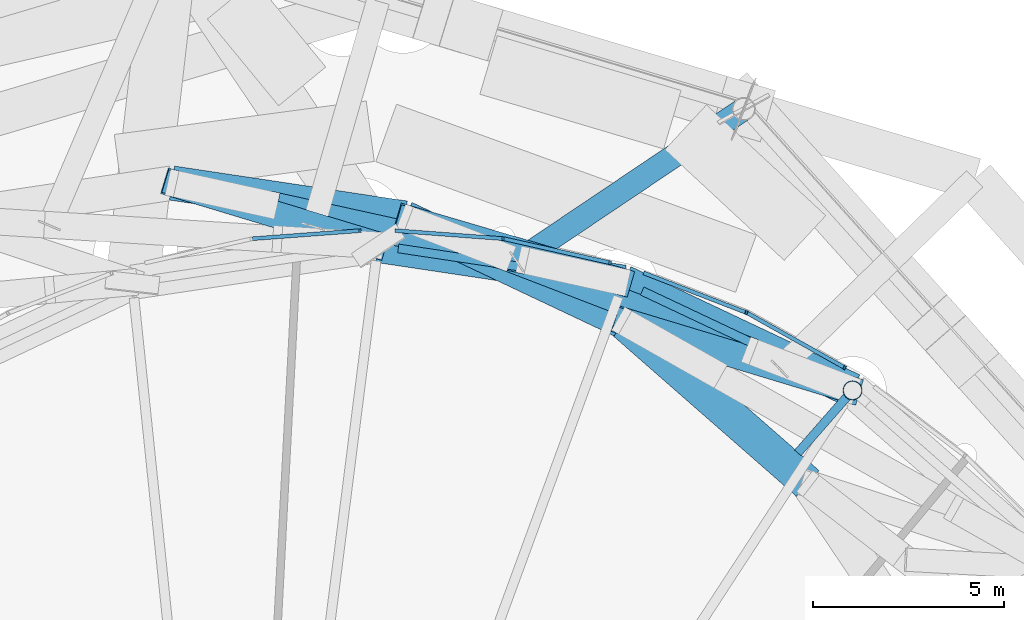
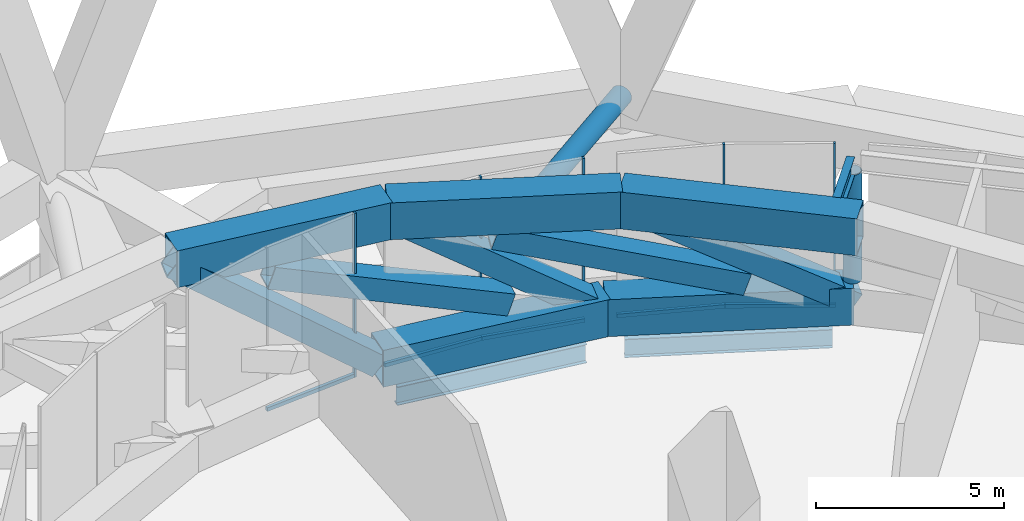
# One storey, part 42 of 60: 13 beams, 12 members, 5 elements without a shape of their own.
"""IFC4 building model written with IfcOpenShell, lengths in metres."""

from ifc_helpers import new_model, si_unit, direction, frame, origin, origin_2d, place, context, subcontext, project, spatial, rectangle, hollow_rectangle, hollow_circle, i_section, extrude, material, layer, layer_set, material_profile, profile_set, type_object, element, aggregate, save


model = new_model("IFC4")

# Units and contexts
model_context = context("Model", 3, precision=1e-05, world=origin(), true_north=direction((0.0, 1.0)))
body_context = subcontext(model_context, "Body", "Model", "MODEL_VIEW")
ifc_project = project(units=[si_unit("LENGTHUNIT", "METRE"), si_unit("AREAUNIT", "SQUARE_METRE"), si_unit("VOLUMEUNIT", "CUBIC_METRE"), si_unit("PLANEANGLEUNIT", "RADIAN"), si_unit("MASSUNIT", "GRAM", prefix="KILO")], contexts=[model_context])

# Site, building, storey
site_placement = place(None, origin())
site = spatial("IfcSite", under=ifc_project, at=site_placement, CompositionType="ELEMENT")
building_placement = place(site_placement, origin())
building = spatial("IfcBuilding", under=site, at=building_placement, Name="Nagisa Residences", CompositionType="ELEMENT")
storey_placement = place(building_placement, frame((0.0, 0.0, 206.60009765625)))
storey = spatial("IfcBuildingStorey", under=building, at=storey_placement, Name="L52", CompositionType="ELEMENT", Elevation=206.60009765625)

# Beams
ifc_material_1 = material(Name="Steel ASTM A572 Gr 50", Category="steel")
ifc_material_profile_1 = material_profile(ifc_material_1, hollow_rectangle(XDim=0.89990234375, YDim=1.199951171875, WallThickness=0.044921875, at=origin_2d()), Name="BX 900x1200x45")
ifc_profile_set_1 = profile_set([ifc_material_profile_1], Name="Steel ASTM A572 Gr 50")
beam_type_1 = type_object("IfcBeamType", Name="Belt chord 4 BX 900x1200x45", PredefinedType="BEAM", material=ifc_profile_set_1)
beam_1_placement = place(storey_placement, frame((14.866455078125, 22.1318359375, 4.739990234375), z_axis=(-0.752422814139, 0.658680429923, 0.0), x_axis=(-0.658680429923, -0.752422814139, 0.0)))
element("IfcBeam", 1, at=beam_1_placement, inside=storey, type_object=beam_type_1, Name="beam:L52:bt4t04", PredefinedType="BEAM", context=body_context, shape_type="SweptSolid", body=[
    extrude(hollow_rectangle(XDim=0.89990234375, YDim=1.199951171875, WallThickness=0.044921875, at=origin_2d()), origin(), (0.0, 0.0, 1.0), 6.487548828125),
])
beam_2_placement = place(storey_placement, frame((16.03759765625, 24.573486328125, 0.599853515625), z_axis=(-0.9041547037, 0.427205186973, 0.0), x_axis=(-0.427205186973, -0.9041547037, 0.0)))
element("IfcBeam", 2, at=beam_2_placement, inside=storey, type_object=beam_type_1, Name="beam:L52:bt4b05", PredefinedType="BEAM", context=body_context, shape_type="SweptSolid", body=[
    extrude(hollow_rectangle(XDim=0.89990234375, YDim=1.199951171875, WallThickness=0.044921875, at=origin_2d()), origin(), (0.0, 0.0, 1.0), 6.635498046875),
])
beam_3_placement = place(storey_placement, frame((9.985107421875, 26.405029296875, 4.739990234375), z_axis=(-0.904124087286, 0.427269978806, 0.0), x_axis=(-0.427269978806, -0.904124087286, 0.0)))
element("IfcBeam", 3, at=beam_3_placement, inside=storey, type_object=beam_type_1, Name="beam:L52:bt4t05", PredefinedType="BEAM", context=body_context, shape_type="SweptSolid", body=[
    extrude(hollow_rectangle(XDim=0.89990234375, YDim=1.199951171875, WallThickness=0.044921875, at=origin_2d()), origin(), (0.0, 0.0, 1.0), 6.28759765625),
])
beam_4_placement = place(storey_placement, frame((10.0380859375, 27.408203125, 0.599853515625), z_axis=(-0.988911582679, 0.148505493645, 0.0), x_axis=(-0.148505493645, -0.988911582679, 0.0)))
element("IfcBeam", 4, at=beam_4_placement, inside=storey, type_object=beam_type_1, Name="beam:L52:bt4b06", PredefinedType="BEAM", context=body_context, shape_type="SweptSolid", body=[
    extrude(hollow_rectangle(XDim=0.89990234375, YDim=1.199951171875, WallThickness=0.044921875, at=origin_2d()), origin(), (0.0, 0.0, 1.0), 6.51025390625),
])
beam_5_placement = place(storey_placement, frame((4.30029296875, 29.091552734375, 4.739990234375), z_axis=(-0.988907595105, 0.14853204484, 0.0), x_axis=(-0.14853204484, -0.988907595105, 0.0)))
element("IfcBeam", 5, at=beam_5_placement, inside=storey, type_object=beam_type_1, Name="beam:L52:bt4t06", PredefinedType="BEAM", context=body_context, shape_type="SweptSolid", body=[
    extrude(hollow_rectangle(XDim=0.89990234375, YDim=1.199951171875, WallThickness=0.044921875, at=origin_2d()), origin(), (0.0, 0.0, 1.0), 6.168701171875),
])
ifc_material_2 = material(Name="Steel ASTM A572 Gr 50", Category="steel")
ifc_material_profile_2 = material_profile(ifc_material_2, hollow_rectangle(XDim=0.699951171875, YDim=0.699951171875, WallThickness=0.0400390625, at=origin_2d()), Name="BX 700x700x40")
ifc_profile_set_2 = profile_set([ifc_material_profile_2], Name="Steel ASTM A572 Gr 50")
beam_type_2 = type_object("IfcBeamType", Name="Belt diagonal 4 BX 700x700x40", PredefinedType="BEAM", material=ifc_profile_set_2)
beam_6_placement = place(storey_placement, frame((16.03759765625, 24.573486328125, 0.599853515625), z_axis=(-0.800773868493, 0.242322034667, 0.547760205796), x_axis=(-0.289638761194, -0.957136034226, 0.0)))
element("IfcBeam", 6, at=beam_6_placement, inside=storey, type_object=beam_type_2, Name="beam:L52:bt4da05", PredefinedType="BEAM", context=body_context, shape_type="SweptSolid", body=[
    extrude(hollow_rectangle(XDim=0.699951171875, YDim=0.699951171875, WallThickness=0.0400390625, at=origin_2d()), origin(), (0.0, 0.0, 1.0), 7.558349609375),
])
beam_7_placement = place(storey_placement, frame((13.34423828125, 25.610107421875, 1.5498046875), z_axis=(-0.886453160245, 0.341229259324, 0.312671372645), x_axis=(-0.359241118647, -0.933244779612, 0.0)))
element("IfcBeam", 7, at=beam_7_placement, inside=storey, type_object=beam_type_2, Name="beam:L52:bt4db05", PredefinedType="BEAM", context=body_context, shape_type="SweptSolid", body=[
    extrude(hollow_rectangle(XDim=0.699951171875, YDim=0.699951171875, WallThickness=0.0400390625, at=origin_2d()), origin(), (0.0, 0.0, 1.0), 7.1640625),
])
beam_8_placement = place(storey_placement, frame((10.0380859375, 27.408203125, 0.599853515625), z_axis=(-0.78891592637, 0.231451591878, 0.569246714296), x_axis=(-0.281514169205, -0.959557071016, 0.0)))
element("IfcBeam", 8, at=beam_8_placement, inside=storey, type_object=beam_type_2, Name="beam:L52:bt4da06", PredefinedType="BEAM", context=body_context, shape_type="SweptSolid", body=[
    extrude(hollow_rectangle(XDim=0.699951171875, YDim=0.699951171875, WallThickness=0.0400390625, at=origin_2d()), origin(), (0.0, 0.0, 1.0), 7.27294921875),
])
beam_9_placement = place(storey_placement, frame((7.39306640625, 27.989013671875, 1.52490234375), z_axis=(-0.924295816137, 0.20294463522, 0.323250242547), x_axis=(-0.214458137436, -0.976733181216, 0.0)))
element("IfcBeam", 9, at=beam_9_placement, inside=storey, type_object=beam_type_2, Name="beam:L52:bt4db06", PredefinedType="BEAM", context=body_context, shape_type="SweptSolid", body=[
    extrude(hollow_rectangle(XDim=0.699951171875, YDim=0.699951171875, WallThickness=0.0400390625, at=origin_2d()), origin(), (0.0, 0.0, 1.0), 7.08447265625),
])
beam_10_placement = place(storey_placement, frame((3.60009765625, 28.375, 0.599853515625), z_axis=(-0.771698444036, 0.233334201081, 0.59163896261), x_axis=(-0.289423619341, -0.957201111871, 0.0)))
element("IfcBeam", 10, at=beam_10_placement, inside=storey, type_object=beam_type_2, Name="beam:L52:bt4da07", PredefinedType="BEAM", context=body_context, shape_type="SweptSolid", body=[
    extrude(hollow_rectangle(XDim=0.699951171875, YDim=0.699951171875, WallThickness=0.0400390625, at=origin_2d()), origin(), (0.0, 0.0, 1.0), 6.997802734375),
])

# Curtain wall, member
ifc_material_3 = material(Name="Aluminium curtain wall system", Category="aluminium")
ifc_layer = layer(ifc_material_3, 0.159912109375)
ifc_layer_set = layer_set([ifc_layer], Name="CW5 CURTAIN WALL")
curtain_wall_type = type_object("IfcCurtainWallType", Name="CW5 CURTAIN WALL", PredefinedType="NOTDEFINED", material=ifc_layer_set)
curtain_wall_1_placement = place(storey_placement, origin())
curtain_wall_1 = element("IfcCurtainWall", 11, at=curtain_wall_1_placement, inside=storey, type_object=curtain_wall_type, Name="cw:CW5:L52:08", PredefinedType="NOTDEFINED")
ifc_material_4 = material(Name="Aluminium", Category="aluminium")
ifc_material_profile_3 = material_profile(ifc_material_4, rectangle(XDim=0.10009765625, YDim=0.06005859375, at=origin_2d()), Name="CW5 MULLION 100x60")
ifc_profile_set_3 = profile_set([ifc_material_profile_3], Name="Aluminium")
member_type_1 = type_object("IfcMemberType", Name="CW5 MULLION 100x60", PredefinedType="MULLION", material=ifc_profile_set_3)
member_1_placement = place(storey_placement, frame((15.829833984375, 25.171630859375, 0.0), z_axis=(0.0, 0.0, 1.0), x_axis=(-0.489376918501, -0.872072377523, 0.0)))
member_1 = element("IfcMember", 12, at=member_1_placement, type_object=member_type_1, Name="CW5 mullion", PredefinedType="MULLION", context=body_context, shape_type="SweptSolid", body=[
    extrude(rectangle(XDim=0.10009765625, YDim=0.06005859375, at=origin_2d()), origin(), (0.0, 0.0, 1.0), 5.33984375),
])

curtain_wall_2_placement = place(storey_placement, origin())
curtain_wall_2 = element("IfcCurtainWall", 13, at=curtain_wall_2_placement, inside=storey, type_object=curtain_wall_type, Name="cw:CW5:L52:09", PredefinedType="NOTDEFINED")
member_2_placement = place(storey_placement, frame((13.253662109375, 26.61328125, 0.0), z_axis=(0.0, 0.0, 1.0), x_axis=(-0.360327770268, -0.932825759707, 0.0)))
member_2 = element("IfcMember", 14, at=member_2_placement, type_object=member_type_1, Name="CW5 mullion", PredefinedType="MULLION", context=body_context, shape_type="SweptSolid", body=[
    extrude(rectangle(XDim=0.10009765625, YDim=0.06005859375, at=origin_2d()), origin(), (0.0, 0.0, 1.0), 5.33984375),
])

curtain_wall_3_placement = place(storey_placement, origin())
curtain_wall_3 = element("IfcCurtainWall", 15, at=curtain_wall_3_placement, inside=storey, type_object=curtain_wall_type, Name="cw:CW5:L52:10", PredefinedType="NOTDEFINED")
member_3_placement = place(storey_placement, frame((9.681640625, 27.9189453125, 0.0), z_axis=(0.0, 0.0, 1.0), x_axis=(-0.2207639201, -0.975327274089, 0.0)))
member_3 = element("IfcMember", 16, at=member_3_placement, type_object=member_type_1, Name="CW5 mullion", PredefinedType="MULLION", context=body_context, shape_type="SweptSolid", body=[
    extrude(rectangle(XDim=0.10009765625, YDim=0.06005859375, at=origin_2d()), origin(), (0.0, 0.0, 1.0), 5.33984375),
])

curtain_wall_4_placement = place(storey_placement, origin())
curtain_wall_4 = element("IfcCurtainWall", 17, at=curtain_wall_4_placement, inside=storey, type_object=curtain_wall_type, Name="cw:CW5:L52:11", PredefinedType="NOTDEFINED")
member_4_placement = place(storey_placement, frame((6.876220703125, 28.550537109375, 0.0), z_axis=(0.0, 0.0, 1.0), x_axis=(-0.074377355493, -0.997230168512, 0.0)))
member_4 = element("IfcMember", 18, at=member_4_placement, type_object=member_type_1, Name="CW5 mullion", PredefinedType="MULLION", context=body_context, shape_type="SweptSolid", body=[
    extrude(rectangle(XDim=0.10009765625, YDim=0.06005859375, at=origin_2d()), origin(), (0.0, 0.0, 1.0), 5.33984375),
])

curtain_wall_5_placement = place(storey_placement, origin())
curtain_wall_5 = element("IfcCurtainWall", 19, at=curtain_wall_5_placement, inside=storey, type_object=curtain_wall_type, Name="cw:CW5:L52:12", PredefinedType="NOTDEFINED")
member_5_placement = place(storey_placement, frame((3.127197265625, 28.759521484375, 0.0), z_axis=(0.0, 0.0, 1.0), x_axis=(0.074377355493, -0.997230168512, 0.0)))
member_5 = element("IfcMember", 20, at=member_5_placement, type_object=member_type_1, Name="CW5 mullion", PredefinedType="MULLION", context=body_context, shape_type="SweptSolid", body=[
    extrude(rectangle(XDim=0.10009765625, YDim=0.06005859375, at=origin_2d()), origin(), (0.0, 0.0, 1.0), 5.33984375),
])

# Member
ifc_material_5 = material(Name="Aluminium", Category="aluminium")
ifc_material_profile_4 = material_profile(ifc_material_5, rectangle(XDim=0.10009765625, YDim=0.1201171875, at=origin_2d()), Name="CW5 TRANSOM 100x120")
ifc_profile_set_4 = profile_set([ifc_material_profile_4], Name="Aluminium")
member_type_2 = type_object("IfcMemberType", Name="CW5 TRANSOM 100x120", PredefinedType="USERDEFINED", material=ifc_profile_set_4)
member_6_placement = place(storey_placement, frame((15.85595703125, 25.156982421875, 0.059814453125), z_axis=(-0.872089879438, 0.489345728685, 0.0), x_axis=(-0.489345728685, -0.872089879438, 0.0)))
member_6 = element("IfcMember", 21, at=member_6_placement, type_object=member_type_2, Name="CW5 transom", ObjectType="TRANSOM", PredefinedType="USERDEFINED", context=body_context, shape_type="SweptSolid", body=[
    extrude(rectangle(XDim=0.10009765625, YDim=0.1201171875, at=origin_2d()), origin(), (0.0, 0.0, 1.0), 2.963623046875),
])

aggregate(curtain_wall_1, [member_1, member_6])

member_7_placement = place(storey_placement, frame((13.28173828125, 26.602294921875, 0.059814453125), z_axis=(-0.932812191101, 0.360362895056, 0.0), x_axis=(-0.360362895056, -0.932812191101, 0.0)))
member_7 = element("IfcMember", 22, at=member_7_placement, type_object=member_type_2, Name="CW5 transom", ObjectType="TRANSOM", PredefinedType="USERDEFINED", context=body_context, shape_type="SweptSolid", body=[
    extrude(rectangle(XDim=0.10009765625, YDim=0.1201171875, at=origin_2d()), origin(), (0.0, 0.0, 1.0), 2.919189453125),
])

aggregate(curtain_wall_2, [member_2, member_7])

member_8_placement = place(storey_placement, frame((9.7109375, 27.912353515625, 0.059814453125), z_axis=(-0.975311924704, 0.220831722202, 0.0), x_axis=(-0.220831722202, -0.975311924704, 0.0)))
member_8 = element("IfcMember", 23, at=member_8_placement, type_object=member_type_2, Name="CW5 transom", ObjectType="TRANSOM", PredefinedType="USERDEFINED", context=body_context, shape_type="SweptSolid", body=[
    extrude(rectangle(XDim=0.10009765625, YDim=0.1201171875, at=origin_2d()), origin(), (0.0, 0.0, 1.0), 2.8876953125),
])

aggregate(curtain_wall_3, [member_3, member_8])

member_9_placement = place(storey_placement, frame((6.90625, 28.548095703125, 0.059814453125), z_axis=(-0.997228875819, 0.07439468551, 0.0), x_axis=(-0.07439468551, -0.997228875819, 0.0)))
member_9 = element("IfcMember", 24, at=member_9_placement, type_object=member_type_2, Name="CW5 transom", ObjectType="TRANSOM", PredefinedType="USERDEFINED", context=body_context, shape_type="SweptSolid", body=[
    extrude(rectangle(XDim=0.10009765625, YDim=0.1201171875, at=origin_2d()), origin(), (0.0, 0.0, 1.0), 2.87158203125),
])

aggregate(curtain_wall_4, [member_4, member_9])

member_10_placement = place(storey_placement, frame((3.1572265625, 28.76171875, 0.059814453125), z_axis=(-0.997228405197, -0.074400993737, 0.0), x_axis=(0.074400993737, -0.997228405197, 0.0)))
member_10 = element("IfcMember", 25, at=member_10_placement, type_object=member_type_2, Name="CW5 transom", ObjectType="TRANSOM", PredefinedType="USERDEFINED", context=body_context, shape_type="SweptSolid", body=[
    extrude(rectangle(XDim=0.10009765625, YDim=0.1201171875, at=origin_2d()), origin(), (0.0, 0.0, 1.0), 2.871337890625),
])

aggregate(curtain_wall_5, [member_5, member_10])

# Members
ifc_material_6 = material(Name="Steel ASTM A572 Gr 65", Category="steel")
ifc_material_profile_5 = material_profile(ifc_material_6, hollow_circle(Radius=0.304931640625, WallThickness=0.02490234375, at=origin_2d()), Name="CHS 610x25")
ifc_profile_set_5 = profile_set([ifc_material_profile_5], Name="Steel ASTM A572 Gr 65")
member_type_3 = type_object("IfcMemberType", Name="Cage strut CHS 610x25", PredefinedType="STRUT", material=ifc_profile_set_5)
member_11_placement = place(storey_placement, frame((13.18505859375, 31.94775390625, 3.699951171875), z_axis=(-0.829870088876, -0.55795666103, 0.0), x_axis=(0.55795666103, -0.829870088876, 0.0)))
element("IfcMember", 26, at=member_11_placement, inside=storey, type_object=member_type_3, Name="mem:L52:bt4st5b03", PredefinedType="STRUT", context=body_context, shape_type="SweptSolid", body=[
    extrude(hollow_circle(Radius=0.304931640625, WallThickness=0.02490234375, at=origin_2d()), origin(), (0.0, 0.0, 1.0), 7.1533203125),
])
ifc_material_7 = material(Name="Steel ASTM A572 Gr 65", Category="steel")
ifc_material_profile_6 = material_profile(ifc_material_7, hollow_circle(Radius=0.25390625, WallThickness=0.02001953125, at=origin_2d()), Name="CHS 508x20")
ifc_profile_set_6 = profile_set([ifc_material_profile_6], Name="Steel ASTM A572 Gr 65")
member_type_4 = type_object("IfcMemberType", Name="Garden edge post CHS 508x20", PredefinedType="POST", material=ifc_profile_set_6)
member_12_placement = place(storey_placement, frame((16.03759765625, 24.573486328125, 1.199951171875), z_axis=(0.0, 0.0, 1.0), x_axis=(1.0, 0.0, 0.0)))
element("IfcMember", 27, at=member_12_placement, inside=storey, type_object=member_type_4, Name="mem:L52:gp405", PredefinedType="POST", context=body_context, shape_type="SweptSolid", body=[
    extrude(hollow_circle(Radius=0.25390625, WallThickness=0.02001953125, at=origin_2d()), origin(), (0.0, 0.0, 1.0), 3.536865234375),
])

# Beams
ifc_material_8 = material(Name="Steel ASTM A572 Gr 50", Category="steel")
ifc_material_profile_7 = material_profile(ifc_material_8, i_section(OverallWidth=0.22802734375, OverallDepth=0.60302734375, WebThickness=0.010498046875, FlangeThickness=0.014892578125, at=origin_2d()), Name="W610x101")
ifc_profile_set_7 = profile_set([ifc_material_profile_7], Name="Steel ASTM A572 Gr 50")
beam_type_3 = type_object("IfcBeamType", Name="Garden radial beam W610x101", PredefinedType="BEAM", material=ifc_profile_set_7)
beam_11_placement = place(storey_placement, frame((15.88330078125, 24.3974609375, 5.038330078125), z_axis=(-0.6586557037, -0.752444459069, 0.0), x_axis=(0.752444459069, -0.6586557037, 0.0)))
element("IfcBeam", 28, at=beam_11_placement, inside=storey, type_object=beam_type_3, Name="beam:L52:bt4gr05", PredefinedType="BEAM", context=body_context, shape_type="SweptSolid", body=[
    extrude(i_section(OverallWidth=0.22802734375, OverallDepth=0.60302734375, WebThickness=0.010498046875, FlangeThickness=0.014892578125, at=origin_2d()), origin(), (0.0, 0.0, 1.0), 1.944580078125),
])
ifc_material_9 = material(Name="Steel ASTM A572 Gr 50", Category="steel")
ifc_material_profile_8 = material_profile(ifc_material_9, i_section(OverallWidth=0.22802734375, OverallDepth=0.60302734375, WebThickness=0.010498046875, FlangeThickness=0.014892578125, at=origin_2d()), Name="W610x101")
ifc_profile_set_8 = profile_set([ifc_material_profile_8], Name="Steel ASTM A572 Gr 50")
beam_type_4 = type_object("IfcBeamType", Name="Perimeter ring beam W610x101", PredefinedType="BEAM", material=ifc_profile_set_8)
beam_12_placement = place(storey_placement, frame((15.553466796875, 24.80224609375, -0.651611328125), z_axis=(-0.904157325884, 0.427199637232, 0.0), x_axis=(-0.427199637232, -0.904157325884, 0.0)))
element("IfcBeam", 29, at=beam_12_placement, inside=storey, type_object=beam_type_4, Name="beam:L52:pb05", PredefinedType="BEAM", context=body_context, shape_type="SweptSolid", body=[
    extrude(i_section(OverallWidth=0.22802734375, OverallDepth=0.60302734375, WebThickness=0.010498046875, FlangeThickness=0.014892578125, at=origin_2d()), origin(), (0.0, 0.0, 1.0), 5.56396484375),
])
beam_13_placement = place(storey_placement, frame((9.508056640625, 27.48779296875, -0.651611328125), z_axis=(-0.988911312658, 0.148507291732, 0.0), x_axis=(-0.148507291732, -0.988911312658, 0.0)))
element("IfcBeam", 30, at=beam_13_placement, inside=storey, type_object=beam_type_4, Name="beam:L52:pb06", PredefinedType="BEAM", context=body_context, shape_type="SweptSolid", body=[
    extrude(i_section(OverallWidth=0.22802734375, OverallDepth=0.60302734375, WebThickness=0.010498046875, FlangeThickness=0.014892578125, at=origin_2d()), origin(), (0.0, 0.0, 1.0), 5.438232421875),
])

save(model, "model.ifc")
